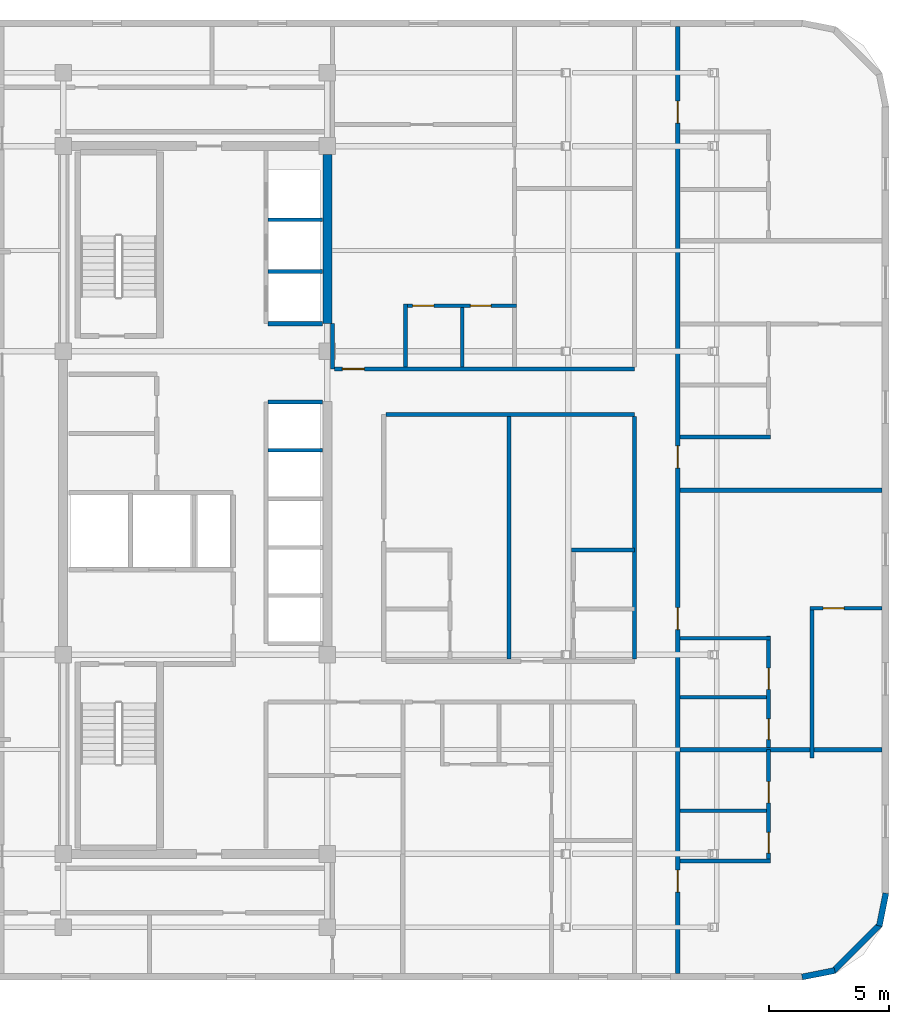
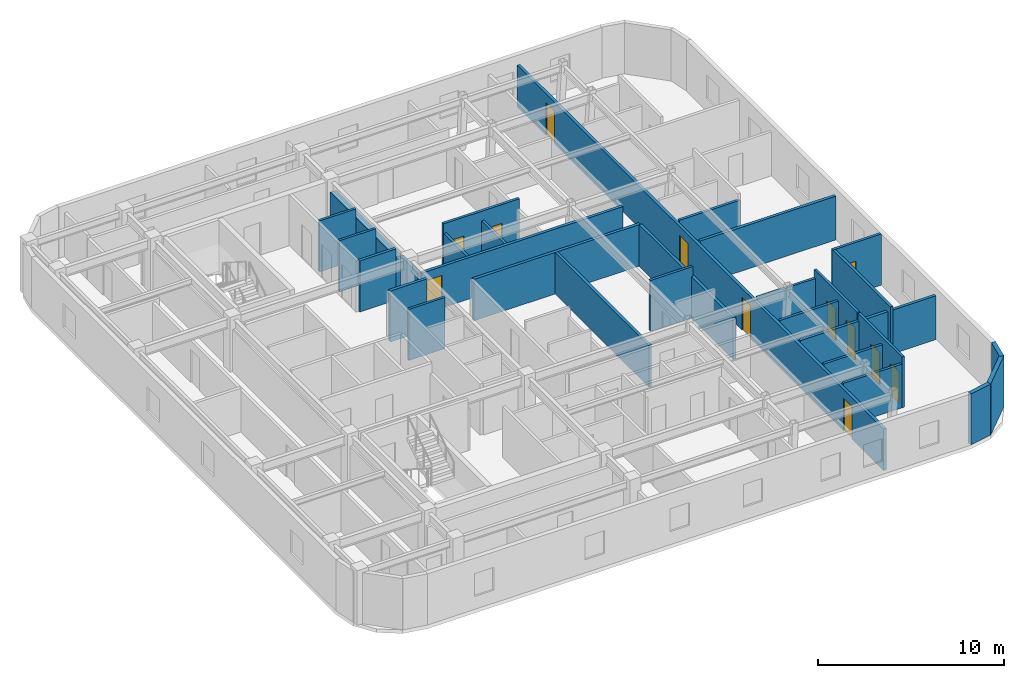
# One storey, part 5 of 8: 30 walls, 12 doors, 12 openings.
"""IFC4 building model written with IfcOpenShell, lengths in metres."""

from ifc_helpers import new_model, si_unit, direction, frame, frame_2d, origin, place, context, subcontext, project, spatial, rectangle, extrude, material, layer, layer_set, type_object, element, fill, save


model = new_model("IFC4")

# Units and contexts
model_context = context("Model", 3, precision=1e-05, world=origin(), true_north=direction((0.0, 1.0)))
body_context = subcontext(model_context, "Body", "Model", "MODEL_VIEW")
ifc_project = project(units=[si_unit("LENGTHUNIT", "METRE"), si_unit("AREAUNIT", "SQUARE_METRE"), si_unit("VOLUMEUNIT", "CUBIC_METRE"), si_unit("PLANEANGLEUNIT", "RADIAN"), si_unit("MASSUNIT", "GRAM", prefix="KILO")], contexts=[model_context])

# Site, building, storey
site_placement = place(None, origin())
site = spatial("IfcSite", under=ifc_project, at=site_placement, CompositionType="ELEMENT")
building_placement = place(site_placement, origin())
building = spatial("IfcBuilding", under=site, at=building_placement, Name="Ochreholt Gables", CompositionType="ELEMENT")
storey_placement = place(building_placement, frame((0.0, 0.0, 148.199951171875)))
storey = spatial("IfcBuildingStorey", under=building, at=storey_placement, Name="L38", CompositionType="ELEMENT", Elevation=148.199951171875)

# Walls
ifc_material_1 = material(Name="Concrete 50 MPa", Category="concrete")
ifc_layer_1 = layer(ifc_material_1, 0.3798828125, Name="Concrete 50 MPa")
ifc_layer_set_1 = layer_set([ifc_layer_1], Name="Concrete 50 MPa")
wall_type_1 = type_object("IfcWallType", Name="WALL-CSW-380", PredefinedType="SHEAR", material=ifc_layer_set_1)
wall_1_placement = place(storey_placement, frame((35.2099609375, 31.35009765625, 0.0), z_axis=(0.0, 0.0, 1.0), x_axis=(0.0, 1.0, 0.0)))
element("IfcWall", 1, at=wall_1_placement, inside=storey, type_object=wall_type_1, Name="L38 Core North-East Shear Wall", PredefinedType="SHEAR", context=body_context, shape_type="SweptSolid", body=[
    extrude(rectangle(XDim=7.0498046875, YDim=0.3798828125, at=frame_2d((3.52490234375, 0.0))), origin(), (0.0, 0.0, 1.0), 2.748046875),
])
ifc_material_2 = material(Name="Precast concrete 40 MPa", Category="concrete")
ifc_layer_2 = layer(ifc_material_2, 0.25, Name="Precast concrete 40 MPa")
ifc_layer_set_2 = layer_set([ifc_layer_2], Name="Precast concrete 40 MPa")
wall_type_2 = type_object("IfcWallType", Name="WALL-EXT-CNR", PredefinedType="SOLIDWALL", material=ifc_layer_set_2)
wall_2_placement = place(storey_placement, frame((54.9833984375, 4.124267578125, 0.0), z_axis=(0.0, 0.0, 1.0), x_axis=(0.980809899341, 0.19496651342, 0.0)))
element("IfcWall", 2, at=wall_2_placement, inside=storey, type_object=wall_type_2, Name="L38 Rounded Corner Wall SE-1", PredefinedType="SOLIDWALL", context=body_context, shape_type="SweptSolid", body=[
    extrude(rectangle(XDim=1.388671875, YDim=0.25, at=frame_2d((0.6943359375, 0.0))), origin(), (0.0, 0.0, 1.0), 3.360107421875),
])
wall_3_placement = place(storey_placement, frame((56.294921875, 4.367919921875, 0.0), z_axis=(0.0, 0.0, 1.0), x_axis=(0.707106781187, 0.707106781187, 0.0)))
element("IfcWall", 3, at=wall_3_placement, inside=storey, type_object=wall_type_2, Name="L38 Rounded Corner Wall SE-2", PredefinedType="SOLIDWALL", context=body_context, shape_type="SweptSolid", body=[
    extrude(rectangle(XDim=2.7392578125, YDim=0.25, at=frame_2d((1.36962890625, 0.0))), origin(), (0.0, 0.0, 1.0), 3.360107421875),
])
wall_4_placement = place(storey_placement, frame((58.205078125, 6.25439453125, 0.0), z_axis=(0.0, 0.0, 1.0), x_axis=(0.19496651342, 0.980809899341, 0.0)))
element("IfcWall", 4, at=wall_4_placement, inside=storey, type_object=wall_type_2, Name="L38 Rounded Corner Wall SE-3", PredefinedType="SOLIDWALL", context=body_context, shape_type="SweptSolid", body=[
    extrude(rectangle(XDim=1.388671875, YDim=0.25, at=frame_2d((0.6943359375, 0.0))), origin(), (0.0, 0.0, 1.0), 3.360107421875),
])
ifc_material_3 = material(Name="Fire-Rated Gypsum Acoustic Partition", Category="gypsum")
ifc_layer_3 = layer(ifc_material_3, 0.179931640625, Name="Fire-Rated Gypsum Acoustic Partition")
ifc_layer_set_3 = layer_set([ifc_layer_3], Name="Fire-Rated Gypsum Acoustic Partition")
wall_type_3 = type_object("IfcWallType", Name="WALL-INT-CR180", PredefinedType="STANDARD", material=ifc_layer_set_3)
wall_5_placement = place(storey_placement, frame((37.639892578125, 27.56005859375, 0.0), z_axis=(0.0, 0.0, 1.0), x_axis=(1.0, 0.0, 0.0)))
element("IfcWall", 5, at=wall_5_placement, inside=storey, type_object=wall_type_3, Name="L38 Interior Wall WI-C2SN1-L38", PredefinedType="STANDARD", context=body_context, shape_type="SweptSolid", body=[
    extrude(rectangle(XDim=10.360107421875, YDim=0.179931640625, at=frame_2d((5.18017578125, 0.0))), origin(), (0.0, 0.0, 1.0), 2.72998046875),
])
wall_6_placement = place(storey_placement, frame((35.419921875, 29.4599609375, 0.0), z_axis=(0.0, 0.0, 1.0), x_axis=(0.0, 1.0, 0.0)))
element("IfcWall", 6, at=wall_6_placement, inside=storey, type_object=wall_type_3, Name="L38 Interior Wall WI-C2NCL-L38", PredefinedType="STANDARD", context=body_context, shape_type="SweptSolid", body=[
    extrude(rectangle(XDim=1.89013671875, YDim=0.179931640625, at=frame_2d((0.945068359375, 0.0))), origin(), (0.0, 0.0, 1.0), 2.72998046875),
])

# Wall, opening, door
wall_7_placement = place(storey_placement, frame((35.510009765625, 29.4599609375, 0.0), z_axis=(0.0, 0.0, 1.0), x_axis=(1.0, 0.0, 0.0)))
wall_7 = element("IfcWall", 7, at=wall_7_placement, inside=storey, type_object=wall_type_3, Name="L38 Interior Wall WI-C2SN2-L38", PredefinedType="STANDARD", context=body_context, shape_type="SweptSolid", body=[
    extrude(rectangle(XDim=12.489990234375, YDim=0.179931640625, at=frame_2d((6.2451171875, 0.0))), origin(), (0.0, 0.0, 1.0), 2.72998046875),
])
opening_1_placement = place(wall_7_placement, frame((0.320068359375, 0.0, 0.0)))
opening_1 = element("IfcOpeningElement", 8, at=opening_1_placement, cuts=wall_7, Name="Opening D-UN1", PredefinedType="OPENING", context=body_context, shape_type="SweptSolid", body=[
    extrude(rectangle(XDim=0.919921875, YDim=2.14990234375, at=frame_2d((0.4599609375, 1.074951171875))), frame((0.0, 0.099853515625, 0.0), z_axis=(0.0, -1.0, 0.0), x_axis=(1.0, 0.0, 0.0)), (0.0, 0.0, 1.0), 0.199951171875),
])
ifc_material_4 = material(Name="Engineered Oak Timber", Category="wood")
door_type_1 = type_object("IfcDoorType", Name="DR-INT-UNT920", OperationType="NOTDEFINED", PredefinedType="DOOR", material=ifc_material_4)
door_1_placement = place(opening_1_placement, origin())
door_1 = element("IfcDoor", 9, at=door_1_placement, inside=storey, type_object=door_type_1, Name="L38 Door D-U-L38N1-ENT", OperationType="SINGLE_SWING_LEFT", OverallHeight=2.14990234375, OverallWidth=0.919921875, PredefinedType="DOOR", context=body_context, shape_type="SweptSolid", body=[
    extrude(rectangle(XDim=0.919921875, YDim=2.14990234375, at=frame_2d((0.4599609375, 1.074951171875))), frame((0.0, 0.02490234375, 0.0), z_axis=(0.0, -1.0, 0.0), x_axis=(1.0, 0.0, 0.0)), (0.0, 0.0, 1.0), 0.050048828125),
])
fill(opening_1, door_1)

# Wall, openings, doors
wall_8_placement = place(storey_placement, frame((49.800048828125, 4.280029296875, 0.0), z_axis=(0.0, 0.0, 1.0), x_axis=(0.0, 1.0, 0.0)))
wall_8 = element("IfcWall", 10, at=wall_8_placement, inside=storey, type_object=wall_type_3, Name="L38 Interior Wall WI-C2FEG-L38", PredefinedType="STANDARD", context=body_context, shape_type="SweptSolid", body=[
    extrude(rectangle(XDim=39.43994140625, YDim=0.179931640625, at=frame_2d((19.719970703125, 0.0))), origin(), (0.0, 0.0, 1.0), 2.72998046875),
])
opening_2_placement = place(wall_8_placement, frame((3.3798828125, 0.0, 0.0)))
opening_2 = element("IfcOpeningElement", 11, at=opening_2_placement, cuts=wall_8, Name="Opening D-UN1", PredefinedType="OPENING", context=body_context, shape_type="SweptSolid", body=[
    extrude(rectangle(XDim=0.919921875, YDim=2.14990234375, at=frame_2d((0.4599609375, 1.074951171875))), frame((0.0, 0.099853515625, 0.0), z_axis=(0.0, -1.0, 0.0), x_axis=(1.0, 0.0, 0.0)), (0.0, 0.0, 1.0), 0.199951171875),
])
opening_3_placement = place(wall_8_placement, frame((14.320068359375, 0.0, 0.0)))
opening_3 = element("IfcOpeningElement", 12, at=opening_3_placement, cuts=wall_8, Name="Opening D-UN1", PredefinedType="OPENING", context=body_context, shape_type="SweptSolid", body=[
    extrude(rectangle(XDim=0.919921875, YDim=2.14990234375, at=frame_2d((0.4599609375, 1.074951171875))), frame((0.0, 0.099853515625, 0.0), z_axis=(0.0, -1.0, 0.0), x_axis=(1.0, 0.0, 0.0)), (0.0, 0.0, 1.0), 0.199951171875),
])
opening_4_placement = place(wall_8_placement, frame((21.05029296875, 0.0, 0.0)))
opening_4 = element("IfcOpeningElement", 13, at=opening_4_placement, cuts=wall_8, Name="Opening D-UN1", PredefinedType="OPENING", context=body_context, shape_type="SweptSolid", body=[
    extrude(rectangle(XDim=0.919921875, YDim=2.14990234375, at=frame_2d((0.4599609375, 1.074951171875))), frame((0.0, 0.099853515625, 0.0), z_axis=(0.0, -1.0, 0.0), x_axis=(1.0, 0.0, 0.0)), (0.0, 0.0, 1.0), 0.199951171875),
])
opening_5_placement = place(wall_8_placement, frame((35.419921875, 0.0, 0.0)))
opening_5 = element("IfcOpeningElement", 14, at=opening_5_placement, cuts=wall_8, Name="Opening D-UN1", PredefinedType="OPENING", context=body_context, shape_type="SweptSolid", body=[
    extrude(rectangle(XDim=0.919921875, YDim=2.14990234375, at=frame_2d((0.4599609375, 1.074951171875))), frame((0.0, 0.099853515625, 0.0), z_axis=(0.0, -1.0, 0.0), x_axis=(1.0, 0.0, 0.0)), (0.0, 0.0, 1.0), 0.199951171875),
])
door_2_placement = place(opening_2_placement, origin())
door_2 = element("IfcDoor", 15, at=door_2_placement, inside=storey, type_object=door_type_1, Name="L38 Door D-U-L38FE1-ENT", OperationType="SINGLE_SWING_RIGHT", OverallHeight=2.14990234375, OverallWidth=0.919921875, PredefinedType="DOOR", context=body_context, shape_type="SweptSolid", body=[
    extrude(rectangle(XDim=0.919921875, YDim=2.14990234375, at=frame_2d((0.4599609375, 1.074951171875))), frame((0.0, 0.02490234375, 0.0), z_axis=(0.0, -1.0, 0.0), x_axis=(1.0, 0.0, 0.0)), (0.0, 0.0, 1.0), 0.050048828125),
])
fill(opening_2, door_2)
door_3_placement = place(opening_3_placement, origin())
door_3 = element("IfcDoor", 16, at=door_3_placement, inside=storey, type_object=door_type_1, Name="L38 Door D-U-L38FE2-ENT", OperationType="SINGLE_SWING_LEFT", OverallHeight=2.14990234375, OverallWidth=0.919921875, PredefinedType="DOOR", context=body_context, shape_type="SweptSolid", body=[
    extrude(rectangle(XDim=0.919921875, YDim=2.14990234375, at=frame_2d((0.4599609375, 1.074951171875))), frame((0.0, 0.02490234375, 0.0), z_axis=(0.0, -1.0, 0.0), x_axis=(1.0, 0.0, 0.0)), (0.0, 0.0, 1.0), 0.050048828125),
])
fill(opening_3, door_3)
door_4_placement = place(opening_4_placement, origin())
door_4 = element("IfcDoor", 17, at=door_4_placement, inside=storey, type_object=door_type_1, Name="L38 Door D-U-L38FE3-ENT", OperationType="SINGLE_SWING_RIGHT", OverallHeight=2.14990234375, OverallWidth=0.919921875, PredefinedType="DOOR", context=body_context, shape_type="SweptSolid", body=[
    extrude(rectangle(XDim=0.919921875, YDim=2.14990234375, at=frame_2d((0.4599609375, 1.074951171875))), frame((0.0, 0.02490234375, 0.0), z_axis=(0.0, -1.0, 0.0), x_axis=(1.0, 0.0, 0.0)), (0.0, 0.0, 1.0), 0.050048828125),
])
fill(opening_4, door_4)
door_5_placement = place(opening_5_placement, origin())
door_5 = element("IfcDoor", 18, at=door_5_placement, inside=storey, type_object=door_type_1, Name="L38 Door D-U-L38FE4-ENT", OperationType="SINGLE_SWING_LEFT", OverallHeight=2.14990234375, OverallWidth=0.919921875, PredefinedType="DOOR", context=body_context, shape_type="SweptSolid", body=[
    extrude(rectangle(XDim=0.919921875, YDim=2.14990234375, at=frame_2d((0.4599609375, 1.074951171875))), frame((0.0, 0.02490234375, 0.0), z_axis=(0.0, -1.0, 0.0), x_axis=(1.0, 0.0, 0.0)), (0.0, 0.0, 1.0), 0.050048828125),
])
fill(opening_5, door_5)

# Walls
wall_9_placement = place(storey_placement, frame((48.0, 17.3701171875, 0.0), z_axis=(0.0, 0.0, 1.0), x_axis=(0.0, 1.0, 0.0)))
element("IfcWall", 19, at=wall_9_placement, inside=storey, type_object=wall_type_3, Name="L38 Interior Wall WI-C2FEGW2-L38", PredefinedType="STANDARD", context=body_context, shape_type="SweptSolid", body=[
    extrude(rectangle(XDim=10.099853515625, YDim=0.179931640625, at=frame_2d((5.0498046875, 0.0))), origin(), (0.0, 0.0, 1.0), 2.72998046875),
])
ifc_material_5 = material(Name="Double-Stud Acoustic Demising Wall", Category="gypsum")
ifc_layer_4 = layer(ifc_material_5, 0.179931640625, Name="Double-Stud Acoustic Demising Wall")
ifc_layer_set_4 = layer_set([ifc_layer_4], Name="Double-Stud Acoustic Demising Wall")
wall_type_4 = type_object("IfcWallType", Name="WALL-INT-DM180", PredefinedType="PARTITIONING", material=ifc_layer_set_4)
wall_10_placement = place(storey_placement, frame((42.77490234375, 17.3701171875, 0.0), z_axis=(0.0, 0.0, 1.0), x_axis=(0.0, 1.0, 0.0)))
element("IfcWall", 20, at=wall_10_placement, inside=storey, type_object=wall_type_4, Name="L38 Interior Wall WI-C2UDM-L38", PredefinedType="PARTITIONING", context=body_context, shape_type="SweptSolid", body=[
    extrude(rectangle(XDim=10.099853515625, YDim=0.179931640625, at=frame_2d((5.0498046875, 0.0))), origin(), (0.0, 0.0, 1.0), 2.72998046875),
])
for number, where, z_axis, x_axis, name in (
    (21, (49.889892578125, 13.60009765625, 0.0), (0.0, 0.0, 1.0), (1.0, 0.0, 0.0), "L38 Interior Wall WI-C2FED2-L38"),
    (22, (49.889892578125, 24.39990234375, 0.0), (0.0, 0.0, 1.0), (1.0, 0.0, 0.0), "L38 Interior Wall WI-C2FED3-L38"),
):
    element("IfcWall", number, at=place(storey_placement, frame(where, z_axis=z_axis, x_axis=x_axis)), inside=storey, type_object=wall_type_4, Name=name, PredefinedType="PARTITIONING", context=body_context, shape_type="SweptSolid", body=[
        extrude(rectangle(XDim=8.43017578125, YDim=0.179931640625, at=frame_2d((4.215087890625, 0.0))), origin(), (0.0, 0.0, 1.0), 2.879150390625),
    ])

# Wall, openings, doors
ifc_material_6 = material(Name="Moisture-Resistant Plumbing Chase Wall", Category="gypsum")
ifc_layer_5 = layer(ifc_material_6, 0.159912109375, Name="Moisture-Resistant Plumbing Chase Wall")
ifc_layer_set_5 = layer_set([ifc_layer_5], Name="Moisture-Resistant Plumbing Chase Wall")
wall_type_5 = type_object("IfcWallType", Name="WALL-INT-PL160", PredefinedType="PLUMBINGWALL", material=ifc_layer_set_5)
wall_11_placement = place(storey_placement, frame((38.3798828125, 32.094970703125, 0.0), z_axis=(0.0, 0.0, 1.0), x_axis=(1.0, 0.0, 0.0)))
wall_11 = element("IfcWall", 23, at=wall_11_placement, inside=storey, type_object=wall_type_5, Name="L38 Interior Wall WU-L38N1-WY", PredefinedType="PLUMBINGWALL", context=body_context, shape_type="SweptSolid", body=[
    extrude(rectangle(XDim=4.710205078125, YDim=0.159912109375, at=frame_2d((2.35498046875, 0.0))), origin(), (0.0, 0.0, 1.0), 3.360107421875),
])
opening_6_placement = place(wall_11_placement, frame((0.3798828125, 0.0, 0.0)))
opening_6 = element("IfcOpeningElement", 24, at=opening_6_placement, cuts=wall_11, Name="Opening D-GN2", PredefinedType="OPENING", context=body_context, shape_type="SweptSolid", body=[
    extrude(rectangle(XDim=0.8798828125, YDim=2.1201171875, at=frame_2d((0.43994140625, 1.06005859375))), frame((0.0, 0.08984375, 0.0), z_axis=(0.0, -1.0, 0.0), x_axis=(1.0, 0.0, 0.0)), (0.0, 0.0, 1.0), 0.179931640625),
])
opening_7_placement = place(wall_11_placement, frame((2.785888671875, 0.0, 0.0)))
opening_7 = element("IfcOpeningElement", 25, at=opening_7_placement, cuts=wall_11, Name="Opening D-BT1", PredefinedType="OPENING", context=body_context, shape_type="SweptSolid", body=[
    extrude(rectangle(XDim=0.860107421875, YDim=2.1201171875, at=frame_2d((0.43017578125, 1.06005859375))), frame((0.0, 0.08984375, 0.0), z_axis=(0.0, -1.0, 0.0), x_axis=(1.0, 0.0, 0.0)), (0.0, 0.0, 1.0), 0.179931640625),
])
door_type_2 = type_object("IfcDoorType", Name="DR-INT-BTH860", OperationType="NOTDEFINED", PredefinedType="DOOR", material=ifc_material_4)
door_6_placement = place(opening_7_placement, origin())
door_6 = element("IfcDoor", 26, at=door_6_placement, inside=storey, type_object=door_type_2, Name="L38 Door D-U-L38N1-BTH", OperationType="SINGLE_SWING_LEFT", OverallHeight=2.1201171875, OverallWidth=0.860107421875, PredefinedType="DOOR", context=body_context, shape_type="SweptSolid", body=[
    extrude(rectangle(XDim=0.860107421875, YDim=2.1201171875, at=frame_2d((0.43017578125, 1.06005859375))), frame((0.0, 0.02490234375, 0.0), z_axis=(0.0, -1.0, 0.0), x_axis=(1.0, 0.0, 0.0)), (0.0, 0.0, 1.0), 0.050048828125),
])
fill(opening_7, door_6)
door_type_3 = type_object("IfcDoorType", Name="DR-INT-GEN880", OperationType="NOTDEFINED", PredefinedType="DOOR", material=ifc_material_4)
door_7_placement = place(opening_6_placement, origin())
door_7 = element("IfcDoor", 27, at=door_7_placement, inside=storey, type_object=door_type_3, Name="L38 Door D-U-L38N1-KIT", OperationType="SINGLE_SWING_RIGHT", OverallHeight=2.1201171875, OverallWidth=0.8798828125, PredefinedType="DOOR", context=body_context, shape_type="SweptSolid", body=[
    extrude(rectangle(XDim=0.8798828125, YDim=2.1201171875, at=frame_2d((0.43994140625, 1.06005859375))), frame((0.0, 0.02490234375, 0.0), z_axis=(0.0, -1.0, 0.0), x_axis=(1.0, 0.0, 0.0)), (0.0, 0.0, 1.0), 0.050048828125),
])
fill(opening_6, door_7)

# Walls
wall_12_placement = place(storey_placement, frame((38.4599609375, 29.550048828125, 0.0), z_axis=(0.0, 0.0, 1.0), x_axis=(0.0, 1.0, 0.0)))
element("IfcWall", 28, at=wall_12_placement, inside=storey, type_object=wall_type_5, Name="L38 Interior Wall WU-L38N1-FY", PredefinedType="PLUMBINGWALL", context=body_context, shape_type="SweptSolid", body=[
    extrude(rectangle(XDim=2.625, YDim=0.159912109375, at=frame_2d((1.3125, 0.0))), origin(), (0.0, 0.0, 1.0), 2.72998046875),
])
wall_13_placement = place(storey_placement, frame((40.825927734375, 29.550048828125, 0.0), z_axis=(0.0, 0.0, 1.0), x_axis=(0.0, 1.0, 0.0)))
element("IfcWall", 29, at=wall_13_placement, inside=storey, type_object=wall_type_5, Name="L38 Interior Wall WU-L38N1-WK", PredefinedType="PLUMBINGWALL", context=body_context, shape_type="SweptSolid", body=[
    extrude(rectangle(XDim=2.46484375, YDim=0.159912109375, at=frame_2d((1.232421875, 0.0))), origin(), (0.0, 0.0, 1.0), 2.72998046875),
])
wall_14_placement = place(storey_placement, frame((45.3798828125, 21.919921875, 0.0), z_axis=(0.0, 0.0, 1.0), x_axis=(1.0, 0.0, 0.0)))
element("IfcWall", 30, at=wall_14_placement, inside=storey, type_object=wall_type_5, Name="L38 Interior Wall WU-L38M2-FY", PredefinedType="PLUMBINGWALL", context=body_context, shape_type="SweptSolid", body=[
    extrude(rectangle(XDim=2.6201171875, YDim=0.159912109375, at=frame_2d((1.31005859375, 0.0))), origin(), (0.0, 0.0, 1.0), 3.360107421875),
])
wall_15_placement = place(storey_placement, frame((49.889892578125, 8.9599609375, 0.0), z_axis=(0.0, 0.0, 1.0), x_axis=(1.0, 0.0, 0.0)))
element("IfcWall", 31, at=wall_15_placement, inside=storey, type_object=wall_type_5, Name="L38 Interior Wall WU-L38FE1-WYS", PredefinedType="PLUMBINGWALL", context=body_context, shape_type="SweptSolid", body=[
    extrude(rectangle(XDim=3.780029296875, YDim=0.159912109375, at=frame_2d((1.89013671875, 0.0))), origin(), (0.0, 0.0, 1.0), 2.879150390625),
])

# Wall, openings, doors
wall_16_placement = place(storey_placement, frame((53.590087890625, 8.8701171875, 0.0), z_axis=(0.0, 0.0, 1.0), x_axis=(0.0, 1.0, 0.0)))
wall_16 = element("IfcWall", 32, at=wall_16_placement, inside=storey, type_object=wall_type_5, Name="L38 Interior Wall WU-L38FE1-WX", PredefinedType="PLUMBINGWALL", context=body_context, shape_type="SweptSolid", body=[
    extrude(rectangle(XDim=4.72998046875, YDim=0.159912109375, at=frame_2d((2.364990234375, 0.0))), origin(), (0.0, 0.0, 1.0), 3.360107421875),
])
opening_8_placement = place(wall_16_placement, frame((0.419921875, 0.0, 0.0)))
opening_8 = element("IfcOpeningElement", 33, at=opening_8_placement, cuts=wall_16, Name="Opening D-BT1", PredefinedType="OPENING", context=body_context, shape_type="SweptSolid", body=[
    extrude(rectangle(XDim=0.860107421875, YDim=2.1201171875, at=frame_2d((0.43017578125, 1.06005859375))), frame((0.0, 0.08984375, 0.0), z_axis=(0.0, -1.0, 0.0), x_axis=(1.0, 0.0, 0.0)), (0.0, 0.0, 1.0), 0.179931640625),
])
opening_9_placement = place(wall_16_placement, frame((2.512939453125, 0.0, 0.0)))
opening_9 = element("IfcOpeningElement", 34, at=opening_9_placement, cuts=wall_16, Name="Opening D-GN2", PredefinedType="OPENING", context=body_context, shape_type="SweptSolid", body=[
    extrude(rectangle(XDim=0.8798828125, YDim=2.1201171875, at=frame_2d((0.43994140625, 1.06005859375))), frame((0.0, 0.08984375, 0.0), z_axis=(0.0, -1.0, 0.0), x_axis=(1.0, 0.0, 0.0)), (0.0, 0.0, 1.0), 0.179931640625),
])
door_8_placement = place(opening_8_placement, origin())
door_8 = element("IfcDoor", 35, at=door_8_placement, inside=storey, type_object=door_type_2, Name="L38 Door D-U-L38FE1-BTH", OperationType="SINGLE_SWING_LEFT", OverallHeight=2.1201171875, OverallWidth=0.860107421875, PredefinedType="DOOR", context=body_context, shape_type="SweptSolid", body=[
    extrude(rectangle(XDim=0.860107421875, YDim=2.1201171875, at=frame_2d((0.43017578125, 1.06005859375))), frame((0.0, 0.02490234375, 0.0), z_axis=(0.0, -1.0, 0.0), x_axis=(1.0, 0.0, 0.0)), (0.0, 0.0, 1.0), 0.050048828125),
])
fill(opening_8, door_8)
door_9_placement = place(opening_9_placement, origin())
door_9 = element("IfcDoor", 36, at=door_9_placement, inside=storey, type_object=door_type_3, Name="L38 Door D-U-L38FE1-KIT", OperationType="SINGLE_SWING_RIGHT", OverallHeight=2.1201171875, OverallWidth=0.8798828125, PredefinedType="DOOR", context=body_context, shape_type="SweptSolid", body=[
    extrude(rectangle(XDim=0.8798828125, YDim=2.1201171875, at=frame_2d((0.43994140625, 1.06005859375))), frame((0.0, 0.02490234375, 0.0), z_axis=(0.0, -1.0, 0.0), x_axis=(1.0, 0.0, 0.0)), (0.0, 0.0, 1.0), 0.050048828125),
])
fill(opening_9, door_9)

# Walls
wall_17_placement = place(storey_placement, frame((49.889892578125, 11.052978515625, 0.0), z_axis=(0.0, 0.0, 1.0), x_axis=(1.0, 0.0, 0.0)))
element("IfcWall", 37, at=wall_17_placement, inside=storey, type_object=wall_type_5, Name="L38 Interior Wall WU-L38FE1-WM", PredefinedType="PLUMBINGWALL", context=body_context, shape_type="SweptSolid", body=[
    extrude(rectangle(XDim=3.6201171875, YDim=0.159912109375, at=frame_2d((1.81005859375, 0.0))), origin(), (0.0, 0.0, 1.0), 2.879150390625),
])
wall_18_placement = place(storey_placement, frame((49.889892578125, 18.239990234375, 0.0), z_axis=(0.0, 0.0, 1.0), x_axis=(1.0, 0.0, 0.0)))
element("IfcWall", 38, at=wall_18_placement, inside=storey, type_object=wall_type_5, Name="L38 Interior Wall WU-L38FE2-WYN", PredefinedType="PLUMBINGWALL", context=body_context, shape_type="SweptSolid", body=[
    extrude(rectangle(XDim=3.780029296875, YDim=0.159912109375, at=frame_2d((1.89013671875, 0.0))), origin(), (0.0, 0.0, 1.0), 2.879150390625),
])

# Wall, openings, doors
wall_19_placement = place(storey_placement, frame((53.590087890625, 13.68994140625, 0.0), z_axis=(0.0, 0.0, 1.0), x_axis=(0.0, 1.0, 0.0)))
wall_19 = element("IfcWall", 39, at=wall_19_placement, inside=storey, type_object=wall_type_5, Name="L38 Interior Wall WU-L38FE2-WX", PredefinedType="PLUMBINGWALL", context=body_context, shape_type="SweptSolid", body=[
    extrude(rectangle(XDim=4.64013671875, YDim=0.159912109375, at=frame_2d((2.320068359375, 0.0))), origin(), (0.0, 0.0, 1.0), 3.360107421875),
])
opening_10_placement = place(wall_19_placement, frame((0.330078125, 0.0, 0.0)))
opening_10 = element("IfcOpeningElement", 40, at=opening_10_placement, cuts=wall_19, Name="Opening D-BT1", PredefinedType="OPENING", context=body_context, shape_type="SweptSolid", body=[
    extrude(rectangle(XDim=0.860107421875, YDim=2.1201171875, at=frame_2d((0.43017578125, 1.06005859375))), frame((0.0, 0.08984375, 0.0), z_axis=(0.0, -1.0, 0.0), x_axis=(1.0, 0.0, 0.0)), (0.0, 0.0, 1.0), 0.179931640625),
])
opening_11_placement = place(wall_19_placement, frame((2.423095703125, 0.0, 0.0)))
opening_11 = element("IfcOpeningElement", 41, at=opening_11_placement, cuts=wall_19, Name="Opening D-GN2", PredefinedType="OPENING", context=body_context, shape_type="SweptSolid", body=[
    extrude(rectangle(XDim=0.8798828125, YDim=2.1201171875, at=frame_2d((0.43994140625, 1.06005859375))), frame((0.0, 0.08984375, 0.0), z_axis=(0.0, -1.0, 0.0), x_axis=(1.0, 0.0, 0.0)), (0.0, 0.0, 1.0), 0.179931640625),
])
door_10_placement = place(opening_10_placement, origin())
door_10 = element("IfcDoor", 42, at=door_10_placement, inside=storey, type_object=door_type_2, Name="L38 Door D-U-L38FE2-BTH", OperationType="SINGLE_SWING_RIGHT", OverallHeight=2.1201171875, OverallWidth=0.860107421875, PredefinedType="DOOR", context=body_context, shape_type="SweptSolid", body=[
    extrude(rectangle(XDim=0.860107421875, YDim=2.1201171875, at=frame_2d((0.43017578125, 1.06005859375))), frame((0.0, 0.02490234375, 0.0), z_axis=(0.0, -1.0, 0.0), x_axis=(1.0, 0.0, 0.0)), (0.0, 0.0, 1.0), 0.050048828125),
])
fill(opening_10, door_10)
door_11_placement = place(opening_11_placement, origin())
door_11 = element("IfcDoor", 43, at=door_11_placement, inside=storey, type_object=door_type_3, Name="L38 Door D-U-L38FE2-KIT", OperationType="SINGLE_SWING_LEFT", OverallHeight=2.1201171875, OverallWidth=0.8798828125, PredefinedType="DOOR", context=body_context, shape_type="SweptSolid", body=[
    extrude(rectangle(XDim=0.8798828125, YDim=2.1201171875, at=frame_2d((0.43994140625, 1.06005859375))), frame((0.0, 0.02490234375, 0.0), z_axis=(0.0, -1.0, 0.0), x_axis=(1.0, 0.0, 0.0)), (0.0, 0.0, 1.0), 0.050048828125),
])
fill(opening_11, door_11)

# Walls
wall_20_placement = place(storey_placement, frame((49.889892578125, 15.782958984375, 0.0), z_axis=(0.0, 0.0, 1.0), x_axis=(1.0, 0.0, 0.0)))
element("IfcWall", 44, at=wall_20_placement, inside=storey, type_object=wall_type_5, Name="L38 Interior Wall WU-L38FE2-WM", PredefinedType="PLUMBINGWALL", context=body_context, shape_type="SweptSolid", body=[
    extrude(rectangle(XDim=3.6201171875, YDim=0.159912109375, at=frame_2d((1.81005859375, 0.0))), origin(), (0.0, 0.0, 1.0), 2.879150390625),
])
wall_21_placement = place(storey_placement, frame((49.889892578125, 26.63037109375, 0.0), z_axis=(0.0, 0.0, 1.0), x_axis=(1.0, 0.0, 0.0)))
element("IfcWall", 45, at=wall_21_placement, inside=storey, type_object=wall_type_5, Name="L38 Interior Wall WU-L38FE3-FYS", PredefinedType="PLUMBINGWALL", context=body_context, shape_type="SweptSolid", body=[
    extrude(rectangle(XDim=3.780029296875, YDim=0.159912109375, at=frame_2d((1.89013671875, 0.0))), origin(), (0.0, 0.0, 1.0), 2.879150390625),
])
ifc_material_7 = material(Name="Gypsum Acoustic Stud Partition", Category="gypsum")
ifc_layer_6 = layer(ifc_material_7, 0.1650390625, Name="Gypsum Acoustic Stud Partition")
ifc_layer_set_6 = layer_set([ifc_layer_6], Name="Gypsum Acoustic Stud Partition")
wall_type_6 = type_object("IfcWallType", Name="WALL-INT-PT165", PredefinedType="PARTITIONING", material=ifc_layer_set_6)
wall_22_placement = place(storey_placement, frame((55.389892578125, 13.239990234375, 0.0), z_axis=(0.0, 0.0, 1.0), x_axis=(0.0, 1.0, 0.0)))
element("IfcWall", 46, at=wall_22_placement, inside=storey, type_object=wall_type_6, Name="L38 Interior Wall WU-L38FE2-STW", PredefinedType="PARTITIONING", context=body_context, shape_type="SweptSolid", body=[
    extrude(rectangle(XDim=6.25, YDim=0.1650390625, at=frame_2d((3.125, 0.0))), origin(), (0.0, 0.0, 1.0), 3.360107421875),
])

# Wall, opening, door
wall_23_placement = place(storey_placement, frame((55.31005859375, 19.489990234375, 0.0), z_axis=(0.0, 0.0, 1.0), x_axis=(1.0, 0.0, 0.0)))
wall_23 = element("IfcWall", 47, at=wall_23_placement, inside=storey, type_object=wall_type_6, Name="L38 Interior Wall WU-L38FE2-STN", PredefinedType="PARTITIONING", context=body_context, shape_type="SweptSolid", body=[
    extrude(rectangle(XDim=3.010009765625, YDim=0.1650390625, at=frame_2d((1.5048828125, 0.0))), origin(), (0.0, 0.0, 1.0), 3.360107421875),
])
opening_12_placement = place(wall_23_placement, frame((0.550048828125, 0.0, 0.0)))
opening_12 = element("IfcOpeningElement", 48, at=opening_12_placement, cuts=wall_23, Name="Opening D-GN2", PredefinedType="OPENING", context=body_context, shape_type="SweptSolid", body=[
    extrude(rectangle(XDim=0.8798828125, YDim=2.1201171875, at=frame_2d((0.43994140625, 1.06005859375))), frame((0.0, 0.092529296875, 0.0), z_axis=(0.0, -1.0, 0.0), x_axis=(1.0, 0.0, 0.0)), (0.0, 0.0, 1.0), 0.18505859375),
])
door_12_placement = place(opening_12_placement, origin())
door_12 = element("IfcDoor", 49, at=door_12_placement, inside=storey, type_object=door_type_3, Name="L38 Door D-U-L38FE2-STD", OperationType="SINGLE_SWING_RIGHT", OverallHeight=2.1201171875, OverallWidth=0.8798828125, PredefinedType="DOOR", context=body_context, shape_type="SweptSolid", body=[
    extrude(rectangle(XDim=0.8798828125, YDim=2.1201171875, at=frame_2d((0.43994140625, 1.06005859375))), frame((0.0, 0.02490234375, 0.0), z_axis=(0.0, -1.0, 0.0), x_axis=(1.0, 0.0, 0.0)), (0.0, 0.0, 1.0), 0.050048828125),
])
fill(opening_12, door_12)

# Walls
ifc_material_8 = material(Name="Gypsum Shaftliner and Steel Stud", Category="steel")
ifc_layer_7 = layer(ifc_material_8, 0.14990234375, Name="Gypsum Shaftliner and Steel Stud")
ifc_layer_set_7 = layer_set([ifc_layer_7], Name="Gypsum Shaftliner and Steel Stud")
wall_type_7 = type_object("IfcWallType", Name="WALL-INT-SH150", PredefinedType="STANDARD", material=ifc_layer_set_7)
for number, where, z_axis, x_axis, name in (
    (50, (32.739990234375, 26.070068359375, 0.0), (0.0, 0.0, 1.0), (1.0, 0.0, 0.0), "L38 Interior Wall WI-LFHE-DEX1-L38"),
    (51, (32.739990234375, 33.52001953125, 0.0), (0.0, 0.0, 1.0), (1.0, 0.0, 0.0), "L38 Interior Wall WI-LFM-D1-L38"),
    (52, (32.739990234375, 35.669921875, 0.0), (0.0, 0.0, 1.0), (1.0, 0.0, 0.0), "L38 Interior Wall WI-LFM-D2-L38"),
):
    element("IfcWall", number, at=place(storey_placement, frame(where, z_axis=z_axis, x_axis=x_axis)), inside=storey, type_object=wall_type_7, Name=name, PredefinedType="STANDARD", context=body_context, shape_type="SweptSolid", body=[
        extrude(rectangle(XDim=2.260009765625, YDim=0.14990234375, at=frame_2d((1.1298828125, 0.0))), origin(), (0.0, 0.0, 1.0), 3.360107421875),
    ])
ifc_layer_8 = layer(ifc_material_8, 0.179931640625, Name="Gypsum Shaftliner and Steel Stud")
ifc_layer_set_8 = layer_set([ifc_layer_8], Name="Gypsum Shaftliner and Steel Stud")
wall_type_8 = type_object("IfcWallType", Name="WALL-INT-SH180", PredefinedType="STANDARD", material=ifc_layer_set_8)
for number, where, z_axis, x_axis, name in (
    (53, (32.739990234375, 28.080078125, 0.0), (0.0, 0.0, 1.0), (1.0, 0.0, 0.0), "L38 Interior Wall WI-LFHE-N-L38"),
    (54, (32.739990234375, 31.35009765625, 0.0), (0.0, 0.0, 1.0), (1.0, 0.0, 0.0), "L38 Interior Wall WI-LFM-S-L38"),
):
    element("IfcWall", number, at=place(storey_placement, frame(where, z_axis=z_axis, x_axis=x_axis)), inside=storey, type_object=wall_type_8, Name=name, PredefinedType="STANDARD", context=body_context, shape_type="SweptSolid", body=[
        extrude(rectangle(XDim=2.260009765625, YDim=0.179931640625, at=frame_2d((1.1298828125, 0.0))), origin(), (0.0, 0.0, 1.0), 3.360107421875),
    ])

save(model, "model.ifc")
